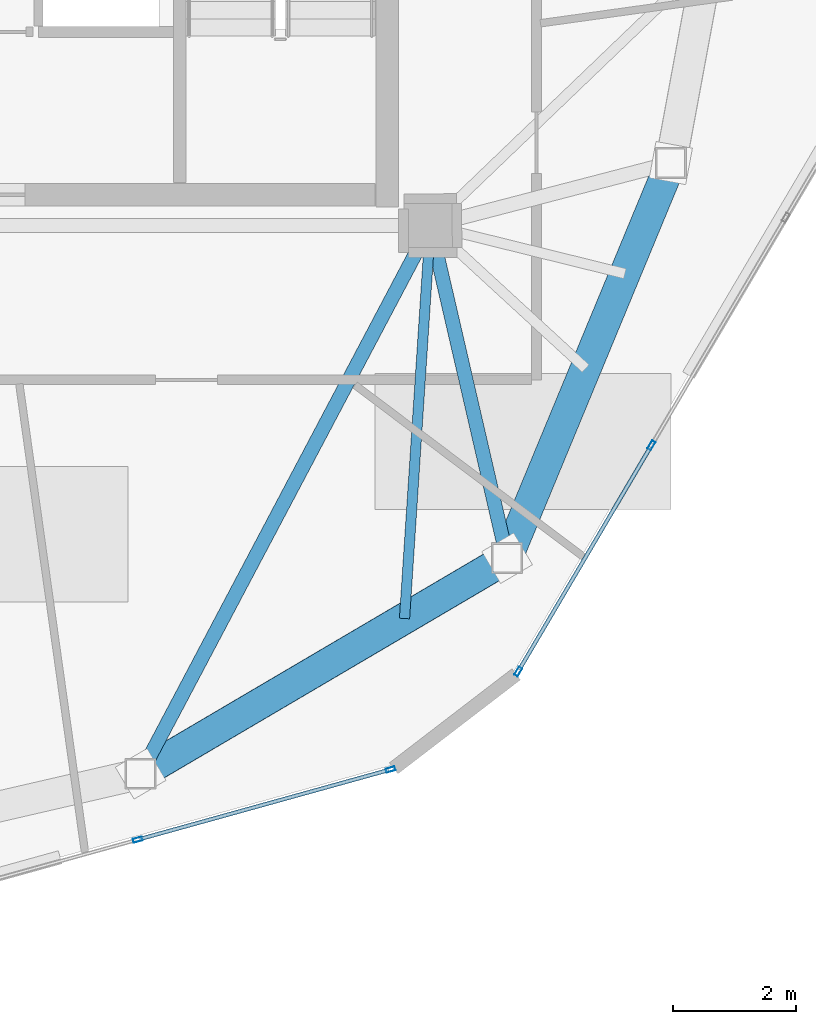
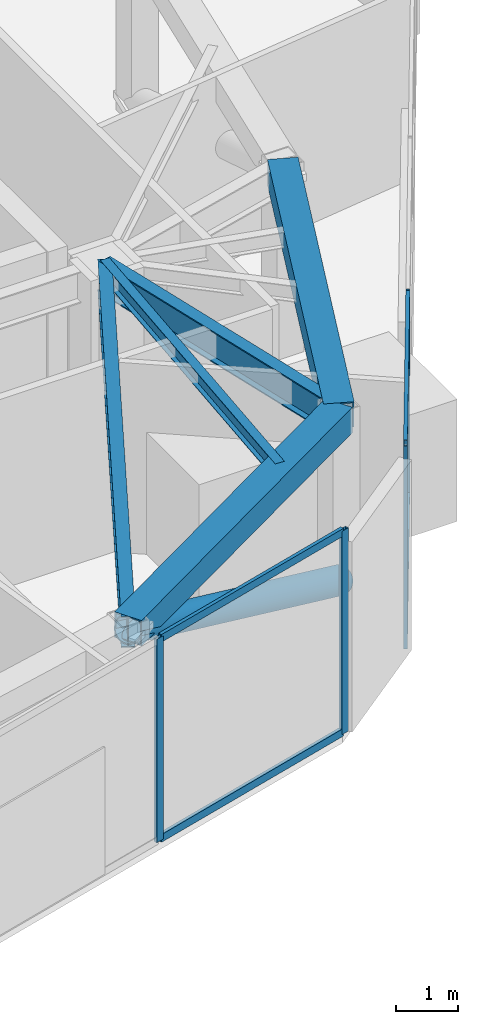
# One storey, part 6 of 19: 9 members, 5 beams, 2 elements without a shape of their own.
"""IFC4 building model written with IfcOpenShell, lengths in metres."""

from ifc_helpers import new_model, si_unit, direction, frame, origin, origin_2d, place, context, subcontext, project, spatial, hollow_rectangle, hollow_circle, i_section, extrude, source, transform, mapped, material, layer, layer_set, material_profile, profile_set, type_object, type_shapes, element, aggregate, save


model = new_model("IFC4")

# Units and contexts
model_context = context("Model", 3, precision=1e-05, world=origin(), true_north=direction((0.0, 1.0)))
body_context = subcontext(model_context, "Body", "Model", "MODEL_VIEW")
ifc_project = project(units=[si_unit("LENGTHUNIT", "METRE"), si_unit("AREAUNIT", "SQUARE_METRE"), si_unit("VOLUMEUNIT", "CUBIC_METRE"), si_unit("PLANEANGLEUNIT", "RADIAN"), si_unit("MASSUNIT", "GRAM", prefix="KILO")], contexts=[model_context])

# Site, building, storey
site_placement = place(None, origin())
site = spatial("IfcSite", under=ifc_project, at=site_placement, CompositionType="ELEMENT")
building_placement = place(site_placement, origin())
building = spatial("IfcBuilding", under=site, at=building_placement, Name="Talar Marvaseh", CompositionType="ELEMENT")
storey_placement = place(building_placement, frame((0.0, 0.0, 296.0)))
storey = spatial("IfcBuildingStorey", under=building, at=storey_placement, Name="L79", CompositionType="ELEMENT", Elevation=296.0)

# Beams
ifc_material_1 = material(Name="Steel S460", Category="steel")
ifc_material_profile_1 = material_profile(ifc_material_1, hollow_rectangle(XDim=0.5, YDim=0.5, WallThickness=0.02490234375, at=origin_2d()), Name="BOX500x500x25")
ifc_profile_set_1 = profile_set([ifc_material_profile_1], Name="Steel S460")
beam_type_1 = type_object("IfcBeamType", Name="Crown Frame Top Ring Beam BOX500x500x25", PredefinedType="BEAM", material=ifc_profile_set_1)
beam_1_placement = place(storey_placement, frame((37.197021484375, 26.513916015625, 3.489990234375), z_axis=(-0.382798740112, -0.923831762048, 0.0), x_axis=(0.923831762048, -0.382798740112, 0.0)))
element("IfcBeam", 1, at=beam_1_placement, inside=storey, type_object=beam_type_1, Name="L79 Crown Frame Top Ring Beam BOX500x500x25", PredefinedType="BEAM", context=body_context, shape_type="SweptSolid", body=[
    extrude(hollow_rectangle(XDim=0.5, YDim=0.5, WallThickness=0.02490234375, at=origin_2d()), origin(), (0.0, 0.0, 1.0), 6.9306640625),
])
beam_2_placement = place(storey_placement, frame((34.5439453125, 20.111083984375, 3.489990234375), z_axis=(-0.861894136287, -0.507088254482, 0.0), x_axis=(0.507088254482, -0.861894136287, 0.0)))
element("IfcBeam", 2, at=beam_2_placement, inside=storey, type_object=beam_type_1, Name="L79 Crown Frame Top Ring Beam BOX500x500x25", PredefinedType="BEAM", context=body_context, shape_type="SweptSolid", body=[
    extrude(hollow_rectangle(XDim=0.5, YDim=0.5, WallThickness=0.02490234375, at=origin_2d()), origin(), (0.0, 0.0, 1.0), 6.890625),
])
ifc_material_2 = material(Name="Steel S355", Category="steel")
ifc_material_profile_2 = material_profile(ifc_material_2, i_section(OverallWidth=0.166015625, OverallDepth=0.31298828125, WebThickness=0.006591796875, FlangeThickness=0.01123046875, at=origin_2d()), Name="W310x45")
ifc_profile_set_2 = profile_set([ifc_material_profile_2], Name="Steel S355")
beam_type_2 = type_object("IfcBeamType", Name="Zone 3 Secondary Floor Joist W310x45", PredefinedType="JOIST", material=ifc_profile_set_2)
beam_3_placement = place(storey_placement, frame((32.881103515625, 19.1328125, 3.58349609375), z_axis=(0.065655577597, 0.997842344827, 0.0), x_axis=(-0.997842344827, 0.065655577597, 0.0)))
element("IfcBeam", 3, at=beam_3_placement, inside=storey, type_object=beam_type_2, Name="L79 Zone 3 Secondary Floor Joist W310x45", PredefinedType="JOIST", context=body_context, shape_type="SweptSolid", body=[
    extrude(i_section(OverallWidth=0.166015625, OverallDepth=0.31298828125, WebThickness=0.006591796875, FlangeThickness=0.01123046875, at=origin_2d()), origin(), (0.0, 0.0, 1.0), 6.380859375),
])
ifc_material_profile_3 = material_profile(ifc_material_2, i_section(OverallWidth=0.22998046875, OverallDepth=0.616943359375, WebThickness=0.01318359375, FlangeThickness=0.022216796875, at=origin_2d()), Name="W610x140")
ifc_profile_set_3 = profile_set([ifc_material_profile_3], Name="Steel S355")
beam_type_3 = type_object("IfcBeamType", Name="Zone 4 Radial Floor Girder W610x140", PredefinedType="BEAM", material=ifc_profile_set_3)
beam_4_placement = place(storey_placement, frame((34.5439453125, 20.111083984375, 3.431396484375), z_axis=(-0.22491108979, 0.974379290466, 0.0), x_axis=(-0.974379290466, -0.22491108979, 0.0)))
element("IfcBeam", 4, at=beam_4_placement, inside=storey, type_object=beam_type_3, Name="L79 Zone 4 Radial Floor Girder W610x140", PredefinedType="BEAM", context=body_context, shape_type="SweptSolid", body=[
    extrude(i_section(OverallWidth=0.22998046875, OverallDepth=0.616943359375, WebThickness=0.01318359375, FlangeThickness=0.022216796875, at=origin_2d()), origin(), (0.0, 0.0, 1.0), 5.530517578125),
])
beam_5_placement = place(storey_placement, frame((28.60498046875, 16.616943359375, 3.431396484375), z_axis=(0.467286976471, 0.884105695955, 0.0), x_axis=(-0.884105695955, 0.467286976471, 0.0)))
element("IfcBeam", 5, at=beam_5_placement, inside=storey, type_object=beam_type_3, Name="L79 Zone 4 Radial Floor Girder W610x140", PredefinedType="BEAM", context=body_context, shape_type="SweptSolid", body=[
    extrude(i_section(OverallWidth=0.22998046875, OverallDepth=0.616943359375, WebThickness=0.01318359375, FlangeThickness=0.022216796875, at=origin_2d()), origin(), (0.0, 0.0, 1.0), 10.047607421875),
])

# Member
ifc_material_profile_4 = material_profile(ifc_material_1, hollow_circle(Radius=0.25390625, WallThickness=0.02001953125, at=origin_2d()), Name="CHS508x20")
ifc_profile_set_4 = profile_set([ifc_material_profile_4], Name="Steel S460")
member_type_1 = type_object("IfcMemberType", Name="Crown Frame Diagonal Brace CHS508x20", PredefinedType="BRACE", material=ifc_profile_set_4)
shared_shape_1 = source(origin(), body_context, "Body", "SweptSolid", [
    extrude(hollow_circle(Radius=0.25390625, WallThickness=0.02001953125, at=origin_2d()), origin(), (0.0, 0.0, 1.0), 7.6142578125),
])
type_shapes(member_type_1, [shared_shape_1])
member_1_placement = place(storey_placement, frame((34.5439453125, 20.111083984375, 0.25), z_axis=(-0.779973177808, -0.458890739159, 0.425512786429), x_axis=(0.507088254482, -0.861894136287, 0.0)))
element("IfcMember", 6, at=member_1_placement, inside=storey, type_object=member_type_1, Name="L79 Crown Frame Diagonal Brace 9", PredefinedType="BRACE", context=body_context, shape_type="MappedRepresentation", body=[
    mapped(shared_shape_1, transform((0.0, 0.0, 0.0), x_axis=(1.0, 0.0, 0.0), y_axis=(0.0, 1.0, 0.0), z_axis=(0.0, 0.0, 1.0), scale=1.0)),
])

# Curtain wall, members
ifc_material_3 = material(Name="Architectural Aluminium", Category="aluminium")
ifc_layer = layer(ifc_material_3, 0.2099609375)
ifc_layer_set = layer_set([ifc_layer], Name="Architectural Aluminium")
curtain_wall_type = type_object("IfcCurtainWallType", Name="Crown Plant Acoustic Spandrel Curtain Wall", PredefinedType="NOTDEFINED", material=ifc_layer_set)
curtain_wall_1_placement = place(storey_placement, origin())
curtain_wall_1 = element("IfcCurtainWall", 7, at=curtain_wall_1_placement, inside=storey, type_object=curtain_wall_type, Name="L79 Crown Plant Acoustic Spandrel Curtain Wall", PredefinedType="NOTDEFINED")
ifc_material_profile_5 = material_profile(ifc_material_3, hollow_rectangle(XDim=0.06494140625, YDim=0.14990234375, WallThickness=0.00390625, at=origin_2d()), Name="RHS150x65x4")
ifc_profile_set_5 = profile_set([ifc_material_profile_5], Name="Architectural Aluminium")
member_type_2 = type_object("IfcMemberType", Name="Unitised Curtain Wall Slim Transom RHS150x65x4", PredefinedType="USERDEFINED", material=ifc_profile_set_5)
shared_shape_2 = source(origin(), body_context, "Body", "SweptSolid", [
    extrude(hollow_rectangle(XDim=0.06494140625, YDim=0.14990234375, WallThickness=0.00390625, at=origin_2d()), origin(), (0.0, 0.0, 1.0), 4.188720703125),
])
type_shapes(member_type_2, [shared_shape_2])
member_2_placement = place(storey_placement, frame((36.8662109375, 21.91015625, 0.032470703125), z_axis=(-0.507656771045, -0.86155940179, 0.0), x_axis=(0.86155940179, -0.507656771045, 0.0)))
member_2 = element("IfcMember", 8, at=member_2_placement, type_object=member_type_2, Name="CW-CRN transom 4.1", ObjectType="TRANSOM", PredefinedType="USERDEFINED", context=body_context, shape_type="MappedRepresentation", body=[
    mapped(shared_shape_2, transform((0.0, 0.0, 0.0), x_axis=(1.0, 0.0, 0.0), y_axis=(0.0, 1.0, 0.0), z_axis=(0.0, 0.0, 1.0), scale=1.0)),
])
member_3_placement = place(storey_placement, frame((36.8662109375, 21.91015625, 3.967529296875), z_axis=(-0.507656771045, -0.86155940179, 0.0), x_axis=(0.86155940179, -0.507656771045, 0.0)))
member_3 = element("IfcMember", 9, at=member_3_placement, type_object=member_type_2, Name="CW-CRN transom 4.2", ObjectType="TRANSOM", PredefinedType="USERDEFINED", context=body_context, shape_type="MappedRepresentation", body=[
    mapped(shared_shape_2, transform((0.0, 0.0, 0.0), x_axis=(1.0, 0.0, 0.0), y_axis=(0.0, 1.0, 0.0), z_axis=(0.0, 0.0, 1.0), scale=1.0)),
])

curtain_wall_2_placement = place(storey_placement, origin())
curtain_wall_2 = element("IfcCurtainWall", 10, at=curtain_wall_2_placement, inside=storey, type_object=curtain_wall_type, Name="L79 Crown Plant Acoustic Spandrel Curtain Wall", PredefinedType="NOTDEFINED")
member_4_placement = place(storey_placement, frame((32.623046875, 16.67724609375, 0.032470703125), z_axis=(-0.963581345625, -0.267415389168, 0.0), x_axis=(0.267415389168, -0.963581345625, 0.0)))
member_4 = element("IfcMember", 11, at=member_4_placement, type_object=member_type_2, Name="CW-CRN transom 1.1", ObjectType="TRANSOM", PredefinedType="USERDEFINED", context=body_context, shape_type="MappedRepresentation", body=[
    mapped(shared_shape_2, transform((0.0, 0.0, 0.0), x_axis=(1.0, 0.0, 0.0), y_axis=(0.0, 1.0, 0.0), z_axis=(0.0, 0.0, 1.0), scale=1.0)),
])
member_5_placement = place(storey_placement, frame((32.623046875, 16.67724609375, 3.967529296875), z_axis=(-0.963581345625, -0.267415389168, 0.0), x_axis=(0.267415389168, -0.963581345625, 0.0)))
member_5 = element("IfcMember", 12, at=member_5_placement, type_object=member_type_2, Name="CW-CRN transom 1.2", ObjectType="TRANSOM", PredefinedType="USERDEFINED", context=body_context, shape_type="MappedRepresentation", body=[
    mapped(shared_shape_2, transform((0.0, 0.0, 0.0), x_axis=(1.0, 0.0, 0.0), y_axis=(0.0, 1.0, 0.0), z_axis=(0.0, 0.0, 1.0), scale=1.0)),
])

# Member
ifc_material_profile_6 = material_profile(ifc_material_3, hollow_rectangle(XDim=0.06494140625, YDim=0.14990234375, WallThickness=0.00390625, at=origin_2d()), Name="RHS150x65x4")
ifc_profile_set_6 = profile_set([ifc_material_profile_6], Name="Architectural Aluminium")
member_type_3 = type_object("IfcMemberType", Name="Unitised Curtain Wall Slim Mullion RHS150x65x4", PredefinedType="MULLION", material=ifc_profile_set_6)
shared_shape_3 = source(origin(), body_context, "Body", "SweptSolid", [
    extrude(hollow_rectangle(XDim=0.06494140625, YDim=0.14990234375, WallThickness=0.00390625, at=origin_2d()), origin(), (0.0, 0.0, 1.0), 4.0),
])
type_shapes(member_type_3, [shared_shape_3])
member_6_placement = place(storey_placement, frame((36.8828125, 21.93798828125, 0.0), z_axis=(0.0, 0.0, 1.0), x_axis=(0.861550579207, -0.507671743815, 0.0)))
member_6 = element("IfcMember", 13, at=member_6_placement, type_object=member_type_3, Name="CW-CRN mullion 4", PredefinedType="MULLION", context=body_context, shape_type="MappedRepresentation", body=[
    mapped(shared_shape_3, transform((0.0, 0.0, 0.0), x_axis=(1.0, 0.0, 0.0), y_axis=(0.0, 1.0, 0.0), z_axis=(0.0, 0.0, 1.0), scale=1.0)),
])

member_7_placement = place(storey_placement, frame((34.723388671875, 18.273193359375, 0.0), z_axis=(0.0, 0.0, 1.0), x_axis=(0.861550579207, -0.507671743815, 0.0)))
member_7 = element("IfcMember", 14, at=member_7_placement, type_object=member_type_3, Name="CW-CRN mullion 5", PredefinedType="MULLION", context=body_context, shape_type="MappedRepresentation", body=[
    mapped(shared_shape_3, transform((0.0, 0.0, 0.0), x_axis=(1.0, 0.0, 0.0), y_axis=(0.0, 1.0, 0.0), z_axis=(0.0, 0.0, 1.0), scale=1.0)),
])

aggregate(curtain_wall_1, [member_6, member_7, member_2, member_3])

member_8_placement = place(storey_placement, frame((32.654541015625, 16.685791015625, 0.0), z_axis=(0.0, 0.0, 1.0), x_axis=(0.267390261237, -0.963588318835, 0.0)))
member_8 = element("IfcMember", 15, at=member_8_placement, type_object=member_type_3, Name="CW-CRN mullion 1", PredefinedType="MULLION", context=body_context, shape_type="MappedRepresentation", body=[
    mapped(shared_shape_3, transform((0.0, 0.0, 0.0), x_axis=(1.0, 0.0, 0.0), y_axis=(0.0, 1.0, 0.0), z_axis=(0.0, 0.0, 1.0), scale=1.0)),
])

member_9_placement = place(storey_placement, frame((28.5556640625, 15.548583984375, 0.0), z_axis=(0.0, 0.0, 1.0), x_axis=(0.267390261237, -0.963588318835, 0.0)))
member_9 = element("IfcMember", 16, at=member_9_placement, type_object=member_type_3, Name="CW-CRN mullion 2", PredefinedType="MULLION", context=body_context, shape_type="MappedRepresentation", body=[
    mapped(shared_shape_3, transform((0.0, 0.0, 0.0), x_axis=(1.0, 0.0, 0.0), y_axis=(0.0, 1.0, 0.0), z_axis=(0.0, 0.0, 1.0), scale=1.0)),
])

aggregate(curtain_wall_2, [member_8, member_9, member_4, member_5])

save(model, "model.ifc")
